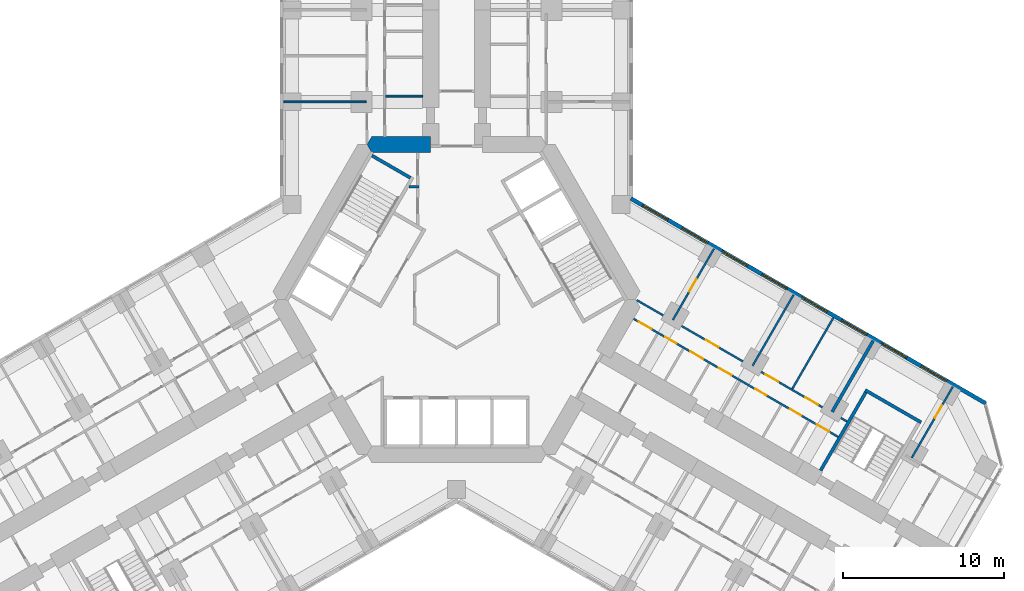
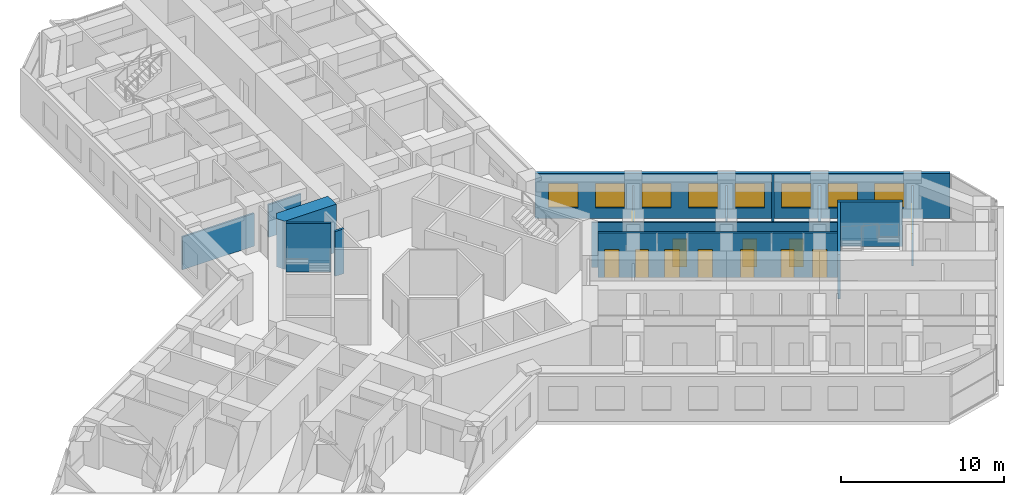
# One storey, part 16 of 21: 15 walls, 12 doors, 8 windows, 20 openings.
"""IFC4 building model written with IfcOpenShell, lengths in metres."""

import ifcopenshell
import ifcopenshell.guid

model = None  # the IFC model being written
_history = None  # IfcOwnerHistory: only IFC2X3 demands one
_inside = {}  # id of a spatial element -> (the spatial element, [elements in it])
_under = {}  # id of a project, library or spatial element -> (it, [spatial elements below it])
_declared = {}  # id of a project -> (the project, [libraries it declares])
_typed = {}  # id of a type object -> (the type object, [elements of that type])
_made_of = {}  # id of a material, layer set ... -> (it, [elements and type objects made of it])


def new_model(schema):
    """Start an empty IFC model of exactly this schema.

    Asked for "IFC4X3", IfcOpenShell would pick the latest addendum, in which some entities
    have other attributes; the version numbers below select the first issue.
    IFC2X3 requires an IfcOwnerHistory on every rooted entity: one is made here for all.
    """
    global model, _history
    if schema == "IFC4X3":
        model = ifcopenshell.file(schema_version=(4, 3, 0, 0))
    else:
        model = ifcopenshell.file(schema=schema)
    _inside.clear()
    _under.clear()
    _declared.clear()
    _typed.clear()
    _made_of.clear()
    _history = None
    if model.schema == "IFC2X3":
        org = make("IfcOrganization", Name="unknown")
        user = make(
            "IfcPersonAndOrganization",
            ThePerson=make("IfcPerson", FamilyName="unknown"),
            TheOrganization=org,
        )
        app = make(
            "IfcApplication",
            ApplicationDeveloper=org,
            Version="unknown",
            ApplicationFullName="unknown",
            ApplicationIdentifier="unknown",
        )
        _history = make(
            "IfcOwnerHistory",
            OwningUser=user,
            OwningApplication=app,
            ChangeAction="ADDED",
            CreationDate=0,
        )
    return model


def make(cls, **values):
    """One entity of the class cls with the attributes given. An attribute that is None is left unset."""
    return model.create_entity(
        cls, **{name: value for name, value in values.items() if value is not None}
    )


def rooted(cls, **values):
    """An entity with a GlobalId (a new one), such as an element, a storey or a relation."""
    return make(cls, GlobalId=ifcopenshell.guid.new(), OwnerHistory=_history, **values)


def si_unit(unit_type, name, prefix=None):
    """IfcSIUnit, for example si_unit("LENGTHUNIT", "METRE", prefix="MILLI")."""
    return make("IfcSIUnit", UnitType=unit_type, Prefix=prefix, Name=name)


def assignment(units):
    """IfcUnitAssignment: the units of a project."""
    return None if units is None else make("IfcUnitAssignment", Units=units)


def point(xyz):
    """IfcCartesianPoint."""
    return None if xyz is None else make("IfcCartesianPoint", Coordinates=xyz)


def direction(xyz):
    """IfcDirection."""
    return None if xyz is None else make("IfcDirection", DirectionRatios=xyz)


def frame(location, z_axis=None, x_axis=None):
    """IfcAxis2Placement3D, a coordinate frame: its origin and axes. An axis left out is left unset."""
    return make(
        "IfcAxis2Placement3D",
        Location=point(location),
        Axis=direction(z_axis),
        RefDirection=direction(x_axis),
    )


def frame_2d(location, x_axis=None):
    """IfcAxis2Placement2D, a coordinate frame in the plane: its origin and x axis."""
    return make(
        "IfcAxis2Placement2D", Location=point(location), RefDirection=direction(x_axis)
    )


def origin():
    """The frame at (0, 0, 0) with its axes left unset."""
    return frame((0.0, 0.0, 0.0))


def place(relative_to, where):
    """IfcLocalPlacement: puts the frame where relative to a parent placement (None: the world)."""
    return make(
        "IfcLocalPlacement", PlacementRelTo=relative_to, RelativePlacement=where
    )


def context(
    kind, dimensions, precision=None, world=None, true_north=None, identifier=None
):
    """IfcGeometricRepresentationContext, for example the 3D "Model" context."""
    return make(
        "IfcGeometricRepresentationContext",
        ContextIdentifier=identifier,
        ContextType=kind,
        CoordinateSpaceDimension=dimensions,
        Precision=precision,
        WorldCoordinateSystem=world,
        TrueNorth=true_north,
    )


def subcontext(parent, identifier, kind, view, scale=None):
    """IfcGeometricRepresentationSubContext, for example "Body" below "Model"."""
    return make(
        "IfcGeometricRepresentationSubContext",
        ContextIdentifier=identifier,
        ContextType=kind,
        ParentContext=parent,
        TargetScale=scale,
        TargetView=view,
    )


def project(units=None, contexts=None):
    """IfcProject with its units and contexts."""
    return rooted(
        "IfcProject",
        Name="project",
        RepresentationContexts=contexts,
        UnitsInContext=assignment(units),
    )


def spatial(cls, under=None, at=None, **own):
    """A site, building, storey or space (cls), placed at a placement, below another one or the project."""
    s = rooted(cls, ObjectPlacement=at, **own)
    if under is not None:
        _under.setdefault(under.id(), (under, []))[1].append(s)
    return s


def polyline(points):
    """IfcPolyline through the points."""
    return make("IfcPolyline", Points=[point(p) for p in points])


def profile(cls, at=None, kind="AREA", **sizes):
    """A parametric profile (cls). Its sizes go by their IFC names, for example OverallWidth=200.0."""
    return make(cls, ProfileType=kind, Position=at, **sizes)


def rectangle(**sizes):
    """IfcRectangleProfileDef."""
    return profile("IfcRectangleProfileDef", **sizes)


def outline(outer, holes=None, kind="AREA"):
    """IfcArbitraryClosedProfileDef: a profile drawn as a closed curve; with holes, ...WithVoids."""
    if holes is None:
        return make("IfcArbitraryClosedProfileDef", ProfileType=kind, OuterCurve=outer)
    return make(
        "IfcArbitraryProfileDefWithVoids",
        ProfileType=kind,
        OuterCurve=outer,
        InnerCurves=holes,
    )


def extrude(swept, where, along, depth):
    """IfcExtrudedAreaSolid: the profile swept, set in the frame where, extruded along a direction by depth."""
    return make(
        "IfcExtrudedAreaSolid",
        SweptArea=swept,
        Position=where,
        ExtrudedDirection=direction(along),
        Depth=depth,
    )


def shape(context_of_items, identifier, shape_type, items):
    """IfcShapeRepresentation: the items that make up one representation, for example the "Body"."""
    return make(
        "IfcShapeRepresentation",
        ContextOfItems=context_of_items,
        RepresentationIdentifier=identifier,
        RepresentationType=shape_type,
        Items=items,
    )


def material(Name=None, Category=None):
    """IfcMaterial."""
    return make("IfcMaterial", Name=Name, Category=Category)


def layer(
    of_material, thickness, ventilated=None, Name=None, Category=None, Priority=None
):
    """IfcMaterialLayer: one layer of a wall or slab, of a material (None: an air gap)."""
    return make(
        "IfcMaterialLayer",
        Material=of_material,
        LayerThickness=thickness,
        IsVentilated=ventilated,
        Name=Name,
        Category=Category,
        Priority=Priority,
    )


def layer_set(layers, Name=None):
    """IfcMaterialLayerSet."""
    return make("IfcMaterialLayerSet", MaterialLayers=layers, LayerSetName=Name)


def made_of(thing, what):
    """Note that an element or type object is made of a material, layer set ...; save() writes the relation."""
    if what is not None:
        _made_of.setdefault(what.id(), (what, []))[1].append(thing)
    return thing


def type_object(cls, material=None, **own):
    """A type object (cls), such as IfcWallType, which elements share."""
    return made_of(rooted(cls, **own), material)


def element(
    cls,
    number,
    at=None,
    inside=None,
    cuts=None,
    type_object=None,
    material=None,
    context=None,
    identifier="Body",
    shape_type=None,
    held_by="IfcProductDefinitionShape",
    body=None,
    shapes=None,
    **own,
):
    """One element of the class cls, such as IfcWall. Its Tag is "e" and its number.

    at: its placement. inside: the storey or other place that contains it. cuts: it is an
    opening in that element (IfcRelVoidsElement). A single representation is given by context,
    identifier, shape_type and body (its items); several are given by shapes. held_by: the class
    of the entity that holds the representations. save() writes the other relations.
    """
    e = rooted(cls, Tag="e%d" % number, ObjectPlacement=at, **own)
    if body is not None:
        shapes = [shape(context, identifier, shape_type, body)]
    if shapes is not None:
        e.Representation = make(held_by, Representations=shapes)
    if inside is not None:
        _inside.setdefault(inside.id(), (inside, []))[1].append(e)
    if cuts is not None:
        rooted(
            "IfcRelVoidsElement", RelatingBuildingElement=cuts, RelatedOpeningElement=e
        )
    if type_object is not None:
        _typed.setdefault(type_object.id(), (type_object, []))[1].append(e)
    return made_of(e, material)


def fill(opening, filler):
    """IfcRelFillsElement: the door or window that sits in an opening."""
    return rooted(
        "IfcRelFillsElement",
        RelatingOpeningElement=opening,
        RelatedBuildingElement=filler,
    )


def aggregate(whole, parts):
    """IfcRelAggregates: a whole, such as a stair, and the parts it consists of."""
    return rooted("IfcRelAggregates", RelatingObject=whole, RelatedObjects=parts)


def save(model, path):
    """Write the relations noted so far, then the file.

    IfcRelAggregates (storeys below a building ...), IfcRelContainedInSpatialStructure (elements
    in a storey), IfcRelDefinesByType, IfcRelAssociatesMaterial and IfcRelDeclares: one each for
    every whole, place, type object, material and project.
    """
    for whole, parts in _under.values():
        aggregate(whole, parts)
    for where, things in _inside.values():
        rooted(
            "IfcRelContainedInSpatialStructure",
            RelatedElements=things,
            RelatingStructure=where,
        )
    for kind, things in _typed.values():
        rooted("IfcRelDefinesByType", RelatedObjects=things, RelatingType=kind)
    for what, things in _made_of.values():
        rooted("IfcRelAssociatesMaterial", RelatedObjects=things, RelatingMaterial=what)
    for by, libraries in _declared.values():
        rooted("IfcRelDeclares", RelatingContext=by, RelatedDefinitions=libraries)
    model.write(path)


model = new_model("IFC4")

# Units and contexts
model_context = context("Model", 3, precision=1e-05, world=origin(), true_north=direction((0.0, 1.0)))
body_context = subcontext(model_context, "Body", "Model", "MODEL_VIEW")
ifc_project = project(units=[si_unit("LENGTHUNIT", "METRE"), si_unit("AREAUNIT", "SQUARE_METRE"), si_unit("VOLUMEUNIT", "CUBIC_METRE"), si_unit("PLANEANGLEUNIT", "RADIAN"), si_unit("MASSUNIT", "GRAM", prefix="KILO")], contexts=[model_context])

# Site, building, storey
site_placement = place(None, origin())
site = spatial("IfcSite", under=ifc_project, at=site_placement, CompositionType="ELEMENT")
building_placement = place(site_placement, origin())
building = spatial("IfcBuilding", under=site, at=building_placement, Name="Kosmar Iwan School Tower", CompositionType="ELEMENT")
storey_placement = place(building_placement, frame((0.0, 0.0, 39.39990234375)))
storey = spatial("IfcBuildingStorey", under=building, at=storey_placement, Name="L08", CompositionType="ELEMENT", Elevation=39.39990234375)

# Walls
ifc_material_1 = material(Name="Gypsum board on steel studs, fire-rated", Category="steel")
ifc_layer_1 = layer(ifc_material_1, 0.14990234375)
ifc_layer_set_1 = layer_set([ifc_layer_1], Name="Core room partition 150")
wall_type_1 = type_object("IfcWallType", Name="Core room partition 150", PredefinedType="PARTITIONING", material=ifc_layer_set_1)
wall_1_placement = place(storey_placement, frame((-2.324951171875, 6.985107421875, 0.0), z_axis=(0.0, 0.0, 1.0), x_axis=(-1.0, 0.0, 0.0)))
element("IfcWall", 1, at=wall_1_placement, inside=storey, type_object=wall_type_1, Name="Core room partition L08-CW2", PredefinedType="PARTITIONING", context=body_context, shape_type="SweptSolid", body=[
    extrude(rectangle(XDim=0.623779296875, YDim=0.14990234375, at=frame_2d((0.31201171875, 0.0))), origin(), (0.0, 0.0, 1.0), 3.35009765625),
])
ifc_material_2 = material(Name="Concrete C50/60", Category="concrete")
ifc_layer_2 = layer(ifc_material_2, 1.0)
ifc_layer_set_2 = layer_set([ifc_layer_2], Name="Core wall 1000")
wall_type_2 = type_object("IfcWallType", Name="Core wall 1000", PredefinedType="SHEAR", material=ifc_layer_set_2)
wall_2_placement = place(storey_placement, origin())
element("IfcWall", 2, at=wall_2_placement, inside=storey, type_object=wall_type_2, Name="Core wall F090b", PredefinedType="SHEAR", context=body_context, shape_type="SweptSolid", body=[
    extrude(outline(polyline([(-5.25390625, 9.10009765625), (-1.60009765625, 9.10009765625), (-1.60009765625, 10.10009765625), (-5.25390625, 10.10009765625), (-5.54248046875, 9.60009765625), (-5.25390625, 9.10009765625)])), origin(), (0.0, 0.0, 1.0), 3.60009765625),
])
ifc_material_3 = material(Name="Gypsum board on steel studs", Category="steel")
ifc_layer_3 = layer(ifc_material_3, 0.1201171875)
ifc_layer_set_3 = layer_set([ifc_layer_3], Name="Dwelling partition 120")
wall_type_3 = type_object("IfcWallType", Name="Dwelling partition 120", PredefinedType="PARTITIONING", material=ifc_layer_set_3)
wall_3_placement = place(storey_placement, frame((-5.610107421875, 12.25, 0.0), z_axis=(0.0, 0.0, 1.0), x_axis=(-1.0, 0.0, 0.0)))
element("IfcWall", 3, at=wall_3_placement, inside=storey, type_object=wall_type_3, Name="Partition L08-AL1-X1", PredefinedType="PARTITIONING", context=body_context, shape_type="SweptSolid", body=[
    extrude(rectangle(XDim=5.08984375, YDim=0.1201171875, at=frame_2d((2.544921875, 0.0))), origin(), (0.0, 0.0, 1.0), 2.4501953125),
])
wall_4_placement = place(storey_placement, frame((-2.10009765625, 12.60009765625, 0.0), z_axis=(0.0, 0.0, 1.0), x_axis=(-1.0, 0.0, 0.0)))
element("IfcWall", 4, at=wall_4_placement, inside=storey, type_object=wall_type_3, Name="Partition L08-AL1-Y1", PredefinedType="PARTITIONING", context=body_context, shape_type="SweptSolid", body=[
    extrude(rectangle(XDim=2.289794921875, YDim=0.1201171875, at=frame_2d((1.14501953125, 0.0))), origin(), (0.0, 0.0, 1.0), 2.4501953125),
])

# Wall, openings, doors
wall_5_placement = place(storey_placement, frame((10.971923828125, -1.1962890625, 0.0), z_axis=(0.0, 0.0, 1.0), x_axis=(0.866026568746, -0.499997982221, 0.0)))
wall_5 = element("IfcWall", 5, at=wall_5_placement, inside=storey, type_object=wall_type_3, Name="Partition L08-CL1-W1", PredefinedType="PARTITIONING", context=body_context, shape_type="SweptSolid", body=[
    extrude(rectangle(XDim=14.64990234375, YDim=0.1201171875, at=frame_2d((7.324951171875, 0.0))), origin(), (0.0, 0.0, 1.0), 3.35009765625),
])
opening_1_placement = place(wall_5_placement, frame((0.375, 0.0, 0.0)))
opening_1 = element("IfcOpeningElement", 6, at=opening_1_placement, cuts=wall_5, Name="Opening D2", PredefinedType="OPENING", context=body_context, shape_type="SweptSolid", body=[
    extrude(rectangle(XDim=0.89990234375, YDim=2.10009765625, at=frame_2d((0.449951171875, 1.050048828125))), frame((0.0, 0.072021484375, 0.0), z_axis=(0.0, -1.0, 0.0), x_axis=(1.0, 0.0, 0.0)), (0.0, 0.0, 1.0), 0.14404296875),
])
opening_2_placement = place(wall_5_placement, frame((2.27490234375, 0.0, 0.0)))
opening_2 = element("IfcOpeningElement", 7, at=opening_2_placement, cuts=wall_5, Name="Opening D3", PredefinedType="OPENING", context=body_context, shape_type="SweptSolid", body=[
    extrude(rectangle(XDim=0.800048828125, YDim=2.10009765625, at=frame_2d((0.39990234375, 1.050048828125))), frame((0.0, 0.072021484375, 0.0), z_axis=(0.0, -1.0, 0.0), x_axis=(1.0, 0.0, 0.0)), (0.0, 0.0, 1.0), 0.14404296875),
])
opening_3_placement = place(wall_5_placement, frame((4.074951171875, 0.0, 0.0)))
opening_3 = element("IfcOpeningElement", 8, at=opening_3_placement, cuts=wall_5, Name="Opening D2", PredefinedType="OPENING", context=body_context, shape_type="SweptSolid", body=[
    extrude(rectangle(XDim=0.89990234375, YDim=2.10009765625, at=frame_2d((0.449951171875, 1.050048828125))), frame((0.0, 0.072021484375, 0.0), z_axis=(0.0, -1.0, 0.0), x_axis=(1.0, 0.0, 0.0)), (0.0, 0.0, 1.0), 0.14404296875),
])
opening_4_placement = place(wall_5_placement, frame((6.10009765625, 0.0, 0.0)))
opening_4 = element("IfcOpeningElement", 9, at=opening_4_placement, cuts=wall_5, Name="Opening D2", PredefinedType="OPENING", context=body_context, shape_type="SweptSolid", body=[
    extrude(rectangle(XDim=0.89990234375, YDim=2.10009765625, at=frame_2d((0.449951171875, 1.050048828125))), frame((0.0, 0.072021484375, 0.0), z_axis=(0.0, -1.0, 0.0), x_axis=(1.0, 0.0, 0.0)), (0.0, 0.0, 1.0), 0.14404296875),
])
opening_5_placement = place(wall_5_placement, frame((8.728515625, 0.0, 0.0)))
opening_5 = element("IfcOpeningElement", 10, at=opening_5_placement, cuts=wall_5, Name="Opening D3", PredefinedType="OPENING", context=body_context, shape_type="SweptSolid", body=[
    extrude(rectangle(XDim=0.800048828125, YDim=2.10009765625, at=frame_2d((0.39990234375, 1.050048828125))), frame((0.0, 0.072021484375, 0.0), z_axis=(0.0, -1.0, 0.0), x_axis=(1.0, 0.0, 0.0)), (0.0, 0.0, 1.0), 0.14404296875),
])
opening_6_placement = place(wall_5_placement, frame((11.19287109375, 0.0, 0.0)))
opening_6 = element("IfcOpeningElement", 11, at=opening_6_placement, cuts=wall_5, Name="Opening D3", PredefinedType="OPENING", context=body_context, shape_type="SweptSolid", body=[
    extrude(rectangle(XDim=0.800048828125, YDim=2.10009765625, at=frame_2d((0.39990234375, 1.050048828125))), frame((0.0, 0.072021484375, 0.0), z_axis=(0.0, -1.0, 0.0), x_axis=(1.0, 0.0, 0.0)), (0.0, 0.0, 1.0), 0.14404296875),
])
opening_7_placement = place(wall_5_placement, frame((13.1142578125, 0.0, 0.0)))
opening_7 = element("IfcOpeningElement", 12, at=opening_7_placement, cuts=wall_5, Name="Opening D2", PredefinedType="OPENING", context=body_context, shape_type="SweptSolid", body=[
    extrude(rectangle(XDim=0.89990234375, YDim=2.10009765625, at=frame_2d((0.449951171875, 1.050048828125))), frame((0.0, 0.072021484375, 0.0), z_axis=(0.0, -1.0, 0.0), x_axis=(1.0, 0.0, 0.0)), (0.0, 0.0, 1.0), 0.14404296875),
])
ifc_material_4 = material(Name="Timber door in timber frame", Category="wood")
door_type_1 = type_object("IfcDoorType", Name="Internal door 900x2100", OperationType="SINGLE_SWING_LEFT", PredefinedType="DOOR", material=ifc_material_4)
door_1_placement = place(opening_1_placement, origin())
door_1 = element("IfcDoor", 13, at=door_1_placement, inside=storey, type_object=door_type_1, Name="Dressing room door L08-CL1-S1", OperationType="SINGLE_SWING_LEFT", OverallHeight=2.10009765625, OverallWidth=0.89990234375, PredefinedType="DOOR", context=body_context, shape_type="SweptSolid", body=[
    extrude(rectangle(XDim=0.89990234375, YDim=2.10009765625, at=frame_2d((0.449951171875, 1.050048828125))), frame((0.0, 0.02490234375, 0.0), z_axis=(0.0, -1.0, 0.0), x_axis=(1.0, 0.0, 0.0)), (0.0, 0.0, 1.0), 0.050048828125),
])
fill(opening_1, door_1)
door_2_placement = place(opening_3_placement, origin())
door_2 = element("IfcDoor", 14, at=door_2_placement, inside=storey, type_object=door_type_1, Name="Pantry door L08-CL1-S3", OperationType="SINGLE_SWING_LEFT", OverallHeight=2.10009765625, OverallWidth=0.89990234375, PredefinedType="DOOR", context=body_context, shape_type="SweptSolid", body=[
    extrude(rectangle(XDim=0.89990234375, YDim=2.10009765625, at=frame_2d((0.449951171875, 1.050048828125))), frame((0.0, 0.02490234375, 0.0), z_axis=(0.0, -1.0, 0.0), x_axis=(1.0, 0.0, 0.0)), (0.0, 0.0, 1.0), 0.050048828125),
])
fill(opening_3, door_2)
door_3_placement = place(opening_4_placement, origin())
door_3 = element("IfcDoor", 15, at=door_3_placement, inside=storey, type_object=door_type_1, Name="Entrance hall door L08-CL1-S4", OperationType="SINGLE_SWING_LEFT", OverallHeight=2.10009765625, OverallWidth=0.89990234375, PredefinedType="DOOR", context=body_context, shape_type="SweptSolid", body=[
    extrude(rectangle(XDim=0.89990234375, YDim=2.10009765625, at=frame_2d((0.449951171875, 1.050048828125))), frame((0.0, 0.02490234375, 0.0), z_axis=(0.0, -1.0, 0.0), x_axis=(1.0, 0.0, 0.0)), (0.0, 0.0, 1.0), 0.050048828125),
])
fill(opening_4, door_3)
door_4_placement = place(opening_7_placement, frame((0.89990234375, 0.0, 0.0), z_axis=(0.0, 0.0, 1.0), x_axis=(-1.0, 0.0, 0.0)))
door_4 = element("IfcDoor", 16, at=door_4_placement, inside=storey, type_object=door_type_1, Name="Utility room door L08-CL1-S7", OperationType="SINGLE_SWING_LEFT", OverallHeight=2.10009765625, OverallWidth=0.89990234375, PredefinedType="DOOR", context=body_context, shape_type="SweptSolid", body=[
    extrude(rectangle(XDim=0.89990234375, YDim=2.10009765625, at=frame_2d((0.449951171875, 1.050048828125))), frame((0.0, 0.02490234375, 0.0), z_axis=(0.0, -1.0, 0.0), x_axis=(1.0, 0.0, 0.0)), (0.0, 0.0, 1.0), 0.050048828125),
])
fill(opening_7, door_4)
ifc_material_5 = material(Name="Timber door in timber frame", Category="wood")
door_type_2 = type_object("IfcDoorType", Name="Sanitary room door 800x2100", OperationType="SINGLE_SWING_LEFT", PredefinedType="DOOR", material=ifc_material_5)
door_5_placement = place(opening_2_placement, origin())
door_5 = element("IfcDoor", 17, at=door_5_placement, inside=storey, type_object=door_type_2, Name="Store door L08-CL1-S2", OperationType="SINGLE_SWING_RIGHT", OverallHeight=2.10009765625, OverallWidth=0.800048828125, PredefinedType="DOOR", context=body_context, shape_type="SweptSolid", body=[
    extrude(rectangle(XDim=0.800048828125, YDim=2.10009765625, at=frame_2d((0.39990234375, 1.050048828125))), frame((0.0, 0.02490234375, 0.0), z_axis=(0.0, -1.0, 0.0), x_axis=(1.0, 0.0, 0.0)), (0.0, 0.0, 1.0), 0.050048828125),
])
fill(opening_2, door_5)
door_6_placement = place(opening_5_placement, origin())
door_6 = element("IfcDoor", 18, at=door_6_placement, inside=storey, type_object=door_type_2, Name="Bathroom door L08-CL1-S5", OperationType="SINGLE_SWING_RIGHT", OverallHeight=2.10009765625, OverallWidth=0.800048828125, PredefinedType="DOOR", context=body_context, shape_type="SweptSolid", body=[
    extrude(rectangle(XDim=0.800048828125, YDim=2.10009765625, at=frame_2d((0.39990234375, 1.050048828125))), frame((0.0, 0.02490234375, 0.0), z_axis=(0.0, -1.0, 0.0), x_axis=(1.0, 0.0, 0.0)), (0.0, 0.0, 1.0), 0.050048828125),
])
fill(opening_5, door_6)
door_7_placement = place(opening_6_placement, origin())
door_7 = element("IfcDoor", 19, at=door_7_placement, inside=storey, type_object=door_type_2, Name="WC door L08-CL1-S6", OperationType="SINGLE_SWING_RIGHT", OverallHeight=2.10009765625, OverallWidth=0.800048828125, PredefinedType="DOOR", context=body_context, shape_type="SweptSolid", body=[
    extrude(rectangle(XDim=0.800048828125, YDim=2.10009765625, at=frame_2d((0.39990234375, 1.050048828125))), frame((0.0, 0.02490234375, 0.0), z_axis=(0.0, -1.0, 0.0), x_axis=(1.0, 0.0, 0.0)), (0.0, 0.0, 1.0), 0.050048828125),
])
fill(opening_6, door_7)

wall_6_placement = place(storey_placement, frame((11.167724609375, -0.0390625, 0.0), z_axis=(0.0, 0.0, 1.0), x_axis=(0.866024678464, -0.50000125629, 0.0)))
wall_6 = element("IfcWall", 20, at=wall_6_placement, inside=storey, type_object=wall_type_3, Name="Partition L08-CL1-W2", PredefinedType="PARTITIONING", context=body_context, shape_type="SweptSolid", body=[
    extrude(rectangle(XDim=15.05908203125, YDim=0.1201171875, at=frame_2d((7.529541015625, 0.0))), origin(), (0.0, 0.0, 1.0), 3.35009765625),
])
opening_8_placement = place(wall_6_placement, frame((4.958984375, 0.0, 0.0)))
opening_8 = element("IfcOpeningElement", 21, at=opening_8_placement, cuts=wall_6, Name="Opening D2", PredefinedType="OPENING", context=body_context, shape_type="SweptSolid", body=[
    extrude(rectangle(XDim=0.89990234375, YDim=2.10009765625, at=frame_2d((0.449951171875, 1.050048828125))), frame((0.0, 0.072021484375, 0.0), z_axis=(0.0, -1.0, 0.0), x_axis=(1.0, 0.0, 0.0)), (0.0, 0.0, 1.0), 0.14404296875),
])
opening_9_placement = place(wall_6_placement, frame((9.23388671875, 0.0, 0.0)))
opening_9 = element("IfcOpeningElement", 22, at=opening_9_placement, cuts=wall_6, Name="Opening D2", PredefinedType="OPENING", context=body_context, shape_type="SweptSolid", body=[
    extrude(rectangle(XDim=0.89990234375, YDim=2.10009765625, at=frame_2d((0.449951171875, 1.050048828125))), frame((0.0, 0.072021484375, 0.0), z_axis=(0.0, -1.0, 0.0), x_axis=(1.0, 0.0, 0.0)), (0.0, 0.0, 1.0), 0.14404296875),
])
opening_10_placement = place(wall_6_placement, frame((12.083984375, 0.0, 0.0)))
opening_10 = element("IfcOpeningElement", 23, at=opening_10_placement, cuts=wall_6, Name="Opening D2", PredefinedType="OPENING", context=body_context, shape_type="SweptSolid", body=[
    extrude(rectangle(XDim=0.89990234375, YDim=2.10009765625, at=frame_2d((0.449951171875, 1.050048828125))), frame((0.0, 0.072021484375, 0.0), z_axis=(0.0, -1.0, 0.0), x_axis=(1.0, 0.0, 0.0)), (0.0, 0.0, 1.0), 0.14404296875),
])
door_8_placement = place(opening_8_placement, origin())
door_8 = element("IfcDoor", 24, at=door_8_placement, inside=storey, type_object=door_type_1, Name="Living room door L08-CL1-F2", OperationType="SINGLE_SWING_LEFT", OverallHeight=2.10009765625, OverallWidth=0.89990234375, PredefinedType="DOOR", context=body_context, shape_type="SweptSolid", body=[
    extrude(rectangle(XDim=0.89990234375, YDim=2.10009765625, at=frame_2d((0.449951171875, 1.050048828125))), frame((0.0, 0.02490234375, 0.0), z_axis=(0.0, -1.0, 0.0), x_axis=(1.0, 0.0, 0.0)), (0.0, 0.0, 1.0), 0.050048828125),
])
fill(opening_8, door_8)
door_9_placement = place(opening_9_placement, origin())
door_9 = element("IfcDoor", 25, at=door_9_placement, inside=storey, type_object=door_type_1, Name="Bedroom 1 door L08-CL1-F3", OperationType="SINGLE_SWING_RIGHT", OverallHeight=2.10009765625, OverallWidth=0.89990234375, PredefinedType="DOOR", context=body_context, shape_type="SweptSolid", body=[
    extrude(rectangle(XDim=0.89990234375, YDim=2.10009765625, at=frame_2d((0.449951171875, 1.050048828125))), frame((0.0, 0.02490234375, 0.0), z_axis=(0.0, -1.0, 0.0), x_axis=(1.0, 0.0, 0.0)), (0.0, 0.0, 1.0), 0.050048828125),
])
fill(opening_9, door_9)
door_10_placement = place(opening_10_placement, origin())
door_10 = element("IfcDoor", 26, at=door_10_placement, inside=storey, type_object=door_type_1, Name="Study door L08-CL1-F4", OperationType="SINGLE_SWING_LEFT", OverallHeight=2.10009765625, OverallWidth=0.89990234375, PredefinedType="DOOR", context=body_context, shape_type="SweptSolid", body=[
    extrude(rectangle(XDim=0.89990234375, YDim=2.10009765625, at=frame_2d((0.449951171875, 1.050048828125))), frame((0.0, 0.02490234375, 0.0), z_axis=(0.0, -1.0, 0.0), x_axis=(1.0, 0.0, 0.0)), (0.0, 0.0, 1.0), 0.050048828125),
])
fill(opening_10, door_10)

# Wall, opening, door
wall_7_placement = place(storey_placement, frame((13.413818359375, -1.2666015625, 0.0), z_axis=(0.0, 0.0, 1.0), x_axis=(0.499997873537, 0.866026631495, 0.0)))
wall_7 = element("IfcWall", 27, at=wall_7_placement, inside=storey, type_object=wall_type_3, Name="Partition L08-CL1-X1", PredefinedType="PARTITIONING", context=body_context, shape_type="SweptSolid", body=[
    extrude(rectangle(XDim=5.08984375, YDim=0.1201171875, at=frame_2d((2.544921875, 0.0))), origin(), (0.0, 0.0, 1.0), 2.4501953125),
])
opening_11_placement = place(wall_7_placement, frame((2.0400390625, 0.0, 0.0)))
opening_11 = element("IfcOpeningElement", 28, at=opening_11_placement, cuts=wall_7, Name="Opening D2", PredefinedType="OPENING", context=body_context, shape_type="SweptSolid", body=[
    extrude(rectangle(XDim=0.89990234375, YDim=2.10009765625, at=frame_2d((0.449951171875, 1.050048828125))), frame((0.0, 0.072021484375, 0.0), z_axis=(0.0, -1.0, 0.0), x_axis=(1.0, 0.0, 0.0)), (0.0, 0.0, 1.0), 0.14404296875),
])
door_11_placement = place(opening_11_placement, origin())
door_11 = element("IfcDoor", 29, at=door_11_placement, inside=storey, type_object=door_type_1, Name="Kitchen and dining room door L08-CL1-F1", OperationType="SINGLE_SWING_LEFT", OverallHeight=2.10009765625, OverallWidth=0.89990234375, PredefinedType="DOOR", context=body_context, shape_type="SweptSolid", body=[
    extrude(rectangle(XDim=0.89990234375, YDim=2.10009765625, at=frame_2d((0.449951171875, 1.050048828125))), frame((0.0, 0.02490234375, 0.0), z_axis=(0.0, -1.0, 0.0), x_axis=(1.0, 0.0, 0.0)), (0.0, 0.0, 1.0), 0.050048828125),
])
fill(opening_11, door_11)

# Walls
wall_8_placement = place(storey_placement, frame((18.35009765625, -4.11669921875, 0.0), z_axis=(0.0, 0.0, 1.0), x_axis=(0.500013077246, 0.866017853501, 0.0)))
element("IfcWall", 30, at=wall_8_placement, inside=storey, type_object=wall_type_3, Name="Partition L08-CL1-X2", PredefinedType="PARTITIONING", context=body_context, shape_type="SweptSolid", body=[
    extrude(rectangle(XDim=5.090087890625, YDim=0.1201171875, at=frame_2d((2.544921875, 0.0))), origin(), (0.0, 0.0, 1.0), 2.4501953125),
])
wall_9_placement = place(storey_placement, frame((20.818359375, -5.54150390625, 0.0), z_axis=(0.0, 0.0, 1.0), x_axis=(0.499997873537, 0.866026631495, 0.0)))
element("IfcWall", 31, at=wall_9_placement, inside=storey, type_object=wall_type_3, Name="Partition L08-CL1-X3", PredefinedType="PARTITIONING", context=body_context, shape_type="SweptSolid", body=[
    extrude(rectangle(XDim=5.08984375, YDim=0.1201171875, at=frame_2d((2.544921875, 0.0))), origin(), (0.0, 0.0, 1.0), 3.35009765625),
])

# Wall, opening, door
wall_10_placement = place(storey_placement, frame((28.222900390625, -9.816650390625, 0.0), z_axis=(0.0, 0.0, 1.0), x_axis=(0.499977104415, 0.866038622153, 0.0)))
wall_10 = element("IfcWall", 32, at=wall_10_placement, inside=storey, type_object=wall_type_3, Name="Partition L08-CL2-TX", PredefinedType="PARTITIONING", context=body_context, shape_type="SweptSolid", body=[
    extrude(rectangle(XDim=5.090087890625, YDim=0.1201171875, at=frame_2d((2.544921875, 0.0))), origin(), (0.0, 0.0, 1.0), 2.4501953125),
])
opening_12_placement = place(wall_10_placement, frame((2.840087890625, 0.0, 0.0)))
opening_12 = element("IfcOpeningElement", 33, at=opening_12_placement, cuts=wall_10, Name="Opening D2", PredefinedType="OPENING", context=body_context, shape_type="SweptSolid", body=[
    extrude(rectangle(XDim=0.89990234375, YDim=2.10009765625, at=frame_2d((0.449951171875, 1.050048828125))), frame((0.0, 0.072021484375, 0.0), z_axis=(0.0, -1.0, 0.0), x_axis=(1.0, 0.0, 0.0)), (0.0, 0.0, 1.0), 0.14404296875),
])
door_12_placement = place(opening_12_placement, origin())
door_12 = element("IfcDoor", 34, at=door_12_placement, inside=storey, type_object=door_type_1, Name="Bedroom 1 door L08-CL2-T1", OperationType="SINGLE_SWING_RIGHT", OverallHeight=2.10009765625, OverallWidth=0.89990234375, PredefinedType="DOOR", context=body_context, shape_type="SweptSolid", body=[
    extrude(rectangle(XDim=0.89990234375, YDim=2.10009765625, at=frame_2d((0.449951171875, 1.050048828125))), frame((0.0, 0.02490234375, 0.0), z_axis=(0.0, -1.0, 0.0), x_axis=(1.0, 0.0, 0.0)), (0.0, 0.0, 1.0), 0.050048828125),
])
fill(opening_12, door_12)

# Walls
ifc_material_6 = material(Name="Concrete C35/45", Category="concrete")
ifc_layer_4 = layer(ifc_material_6, 0.199951171875)
ifc_layer_set_4 = layer_set([ifc_layer_4], Name="Escape stair wall 200")
wall_type_4 = type_object("IfcWallType", Name="Escape stair wall 200", PredefinedType="SHEAR", material=ifc_layer_set_4)
wall_11_placement = place(storey_placement, frame((22.57080078125, -10.6064453125, 0.0), z_axis=(0.0, 0.0, 1.0), x_axis=(0.499987231761, 0.866032775405, 0.0)))
element("IfcWall", 35, at=wall_11_placement, inside=storey, type_object=wall_type_4, Name="Stair WS3 wall", PredefinedType="SHEAR", context=body_context, shape_type="SweptSolid", body=[
    extrude(rectangle(XDim=5.800048828125, YDim=0.199951171875, at=frame_2d((2.89990234375, 0.0))), origin(), (0.0, 0.0, 1.0), 3.330078125),
])
wall_12_placement = place(storey_placement, frame((25.334228515625, -5.6201171875, 0.0), z_axis=(0.0, 0.0, 1.0), x_axis=(0.866026010844, -0.49999894854, 0.0)))
element("IfcWall", 36, at=wall_12_placement, inside=storey, type_object=wall_type_4, Name="Stair WS3 wall", PredefinedType="SHEAR", context=body_context, shape_type="SweptSolid", body=[
    extrude(rectangle(XDim=4.0, YDim=0.199951171875, at=frame_2d((2.0, 0.0))), origin(), (0.0, 0.0, 1.0), 3.330078125),
])

# Wall, openings, windows
ifc_material_7 = material(Name="Black aluminium rainscreen on insulated framing", Category="aluminium")
ifc_layer_5 = layer(ifc_material_7, 0.25)
ifc_layer_set_5 = layer_set([ifc_layer_5], Name="External wall rainscreen 250")
wall_type_5 = type_object("IfcWallType", Name="External wall rainscreen 250", PredefinedType="SOLIDWALL", material=ifc_layer_set_5)
wall_13_placement = place(storey_placement, frame((10.8125, 6.257080078125, 0.0), z_axis=(0.0, 0.0, 1.0), x_axis=(0.86602648281, -0.499998131069, 0.0)))
wall_13 = element("IfcWall", 37, at=wall_13_placement, inside=storey, type_object=wall_type_5, Name="External wall CL L08", PredefinedType="SOLIDWALL", context=body_context, shape_type="SweptSolid", body=[
    extrude(rectangle(XDim=25.39990234375, YDim=0.25, at=frame_2d((12.699951171875, 0.0))), origin(), (0.0, 0.0, 1.0), 3.35009765625),
])
opening_13_placement = place(wall_13_placement, frame((0.839599609375, 0.0, 0.800048828125)))
opening_13 = element("IfcOpeningElement", 38, at=opening_13_placement, cuts=wall_13, Name="Opening W1", PredefinedType="OPENING", context=body_context, shape_type="SweptSolid", body=[
    extrude(rectangle(XDim=1.800048828125, YDim=1.800048828125, at=frame_2d((0.89990234375, 0.89990234375))), frame((0.0, 0.136962890625, 0.0), z_axis=(0.0, -1.0, 0.0), x_axis=(1.0, 0.0, 0.0)), (0.0, 0.0, 1.0), 0.27392578125),
])
opening_14_placement = place(wall_13_placement, frame((3.689697265625, 0.0, 0.800048828125)))
opening_14 = element("IfcOpeningElement", 39, at=opening_14_placement, cuts=wall_13, Name="Opening W1", PredefinedType="OPENING", context=body_context, shape_type="SweptSolid", body=[
    extrude(rectangle(XDim=1.800048828125, YDim=1.800048828125, at=frame_2d((0.89990234375, 0.89990234375))), frame((0.0, 0.136962890625, 0.0), z_axis=(0.0, -1.0, 0.0), x_axis=(1.0, 0.0, 0.0)), (0.0, 0.0, 1.0), 0.27392578125),
])
opening_15_placement = place(wall_13_placement, frame((6.53955078125, 0.0, 0.800048828125)))
opening_15 = element("IfcOpeningElement", 40, at=opening_15_placement, cuts=wall_13, Name="Opening W1", PredefinedType="OPENING", context=body_context, shape_type="SweptSolid", body=[
    extrude(rectangle(XDim=1.800048828125, YDim=1.800048828125, at=frame_2d((0.89990234375, 0.89990234375))), frame((0.0, 0.136962890625, 0.0), z_axis=(0.0, -1.0, 0.0), x_axis=(1.0, 0.0, 0.0)), (0.0, 0.0, 1.0), 0.27392578125),
])
opening_16_placement = place(wall_13_placement, frame((9.3896484375, 0.0, 0.800048828125)))
opening_16 = element("IfcOpeningElement", 41, at=opening_16_placement, cuts=wall_13, Name="Opening W1", PredefinedType="OPENING", context=body_context, shape_type="SweptSolid", body=[
    extrude(rectangle(XDim=1.800048828125, YDim=1.800048828125, at=frame_2d((0.89990234375, 0.89990234375))), frame((0.0, 0.136962890625, 0.0), z_axis=(0.0, -1.0, 0.0), x_axis=(1.0, 0.0, 0.0)), (0.0, 0.0, 1.0), 0.27392578125),
])
opening_17_placement = place(wall_13_placement, frame((12.23974609375, 0.0, 0.800048828125)))
opening_17 = element("IfcOpeningElement", 42, at=opening_17_placement, cuts=wall_13, Name="Opening W1", PredefinedType="OPENING", context=body_context, shape_type="SweptSolid", body=[
    extrude(rectangle(XDim=1.800048828125, YDim=1.800048828125, at=frame_2d((0.89990234375, 0.89990234375))), frame((0.0, 0.136962890625, 0.0), z_axis=(0.0, -1.0, 0.0), x_axis=(1.0, 0.0, 0.0)), (0.0, 0.0, 1.0), 0.27392578125),
])
opening_18_placement = place(wall_13_placement, frame((15.089599609375, 0.0, 0.800048828125)))
opening_18 = element("IfcOpeningElement", 43, at=opening_18_placement, cuts=wall_13, Name="Opening W1", PredefinedType="OPENING", context=body_context, shape_type="SweptSolid", body=[
    extrude(rectangle(XDim=1.800048828125, YDim=1.800048828125, at=frame_2d((0.89990234375, 0.89990234375))), frame((0.0, 0.136962890625, 0.0), z_axis=(0.0, -1.0, 0.0), x_axis=(1.0, 0.0, 0.0)), (0.0, 0.0, 1.0), 0.27392578125),
])
opening_19_placement = place(wall_13_placement, frame((17.939697265625, 0.0, 0.800048828125)))
opening_19 = element("IfcOpeningElement", 44, at=opening_19_placement, cuts=wall_13, Name="Opening W1", PredefinedType="OPENING", context=body_context, shape_type="SweptSolid", body=[
    extrude(rectangle(XDim=1.800048828125, YDim=1.800048828125, at=frame_2d((0.89990234375, 0.89990234375))), frame((0.0, 0.136962890625, 0.0), z_axis=(0.0, -1.0, 0.0), x_axis=(1.0, 0.0, 0.0)), (0.0, 0.0, 1.0), 0.27392578125),
])
opening_20_placement = place(wall_13_placement, frame((20.78955078125, 0.0, 0.800048828125)))
opening_20 = element("IfcOpeningElement", 45, at=opening_20_placement, cuts=wall_13, Name="Opening W1", PredefinedType="OPENING", context=body_context, shape_type="SweptSolid", body=[
    extrude(rectangle(XDim=1.800048828125, YDim=1.800048828125, at=frame_2d((0.89990234375, 0.89990234375))), frame((0.0, 0.136962890625, 0.0), z_axis=(0.0, -1.0, 0.0), x_axis=(1.0, 0.0, 0.0)), (0.0, 0.0, 1.0), 0.27392578125),
])
ifc_material_8 = material(Name="Black aluminium frame with dark triple glazing", Category="aluminium")
window_type = type_object("IfcWindowType", Name="Window 1800x1800", PartitioningType="SINGLE_PANEL", PredefinedType="WINDOW", material=ifc_material_8)
window_1_placement = place(opening_13_placement, origin())
window_1 = element("IfcWindow", 46, at=window_1_placement, inside=storey, type_object=window_type, Name="Window CL L08 -1", OverallHeight=1.800048828125, OverallWidth=1.800048828125, PartitioningType="SINGLE_PANEL", PredefinedType="WINDOW", context=body_context, shape_type="SweptSolid", body=[
    extrude(rectangle(XDim=1.800048828125, YDim=1.800048828125, at=frame_2d((0.89990234375, 0.89990234375))), frame((0.0, 0.030029296875, 0.0), z_axis=(0.0, -1.0, 0.0), x_axis=(1.0, 0.0, 0.0)), (0.0, 0.0, 1.0), 0.06005859375),
])
fill(opening_13, window_1)
window_2_placement = place(opening_14_placement, origin())
window_2 = element("IfcWindow", 47, at=window_2_placement, inside=storey, type_object=window_type, Name="Window CL L08 0", OverallHeight=1.800048828125, OverallWidth=1.800048828125, PartitioningType="SINGLE_PANEL", PredefinedType="WINDOW", context=body_context, shape_type="SweptSolid", body=[
    extrude(rectangle(XDim=1.800048828125, YDim=1.800048828125, at=frame_2d((0.89990234375, 0.89990234375))), frame((0.0, 0.030029296875, 0.0), z_axis=(0.0, -1.0, 0.0), x_axis=(1.0, 0.0, 0.0)), (0.0, 0.0, 1.0), 0.06005859375),
])
fill(opening_14, window_2)
window_3_placement = place(opening_15_placement, origin())
window_3 = element("IfcWindow", 48, at=window_3_placement, inside=storey, type_object=window_type, Name="Window CL L08 1", OverallHeight=1.800048828125, OverallWidth=1.800048828125, PartitioningType="SINGLE_PANEL", PredefinedType="WINDOW", context=body_context, shape_type="SweptSolid", body=[
    extrude(rectangle(XDim=1.800048828125, YDim=1.800048828125, at=frame_2d((0.89990234375, 0.89990234375))), frame((0.0, 0.030029296875, 0.0), z_axis=(0.0, -1.0, 0.0), x_axis=(1.0, 0.0, 0.0)), (0.0, 0.0, 1.0), 0.06005859375),
])
fill(opening_15, window_3)
window_4_placement = place(opening_16_placement, origin())
window_4 = element("IfcWindow", 49, at=window_4_placement, inside=storey, type_object=window_type, Name="Window CL L08 2", OverallHeight=1.800048828125, OverallWidth=1.800048828125, PartitioningType="SINGLE_PANEL", PredefinedType="WINDOW", context=body_context, shape_type="SweptSolid", body=[
    extrude(rectangle(XDim=1.800048828125, YDim=1.800048828125, at=frame_2d((0.89990234375, 0.89990234375))), frame((0.0, 0.030029296875, 0.0), z_axis=(0.0, -1.0, 0.0), x_axis=(1.0, 0.0, 0.0)), (0.0, 0.0, 1.0), 0.06005859375),
])
fill(opening_16, window_4)
window_5_placement = place(opening_17_placement, origin())
window_5 = element("IfcWindow", 50, at=window_5_placement, inside=storey, type_object=window_type, Name="Window CL L08 3", OverallHeight=1.800048828125, OverallWidth=1.800048828125, PartitioningType="SINGLE_PANEL", PredefinedType="WINDOW", context=body_context, shape_type="SweptSolid", body=[
    extrude(rectangle(XDim=1.800048828125, YDim=1.800048828125, at=frame_2d((0.89990234375, 0.89990234375))), frame((0.0, 0.030029296875, 0.0), z_axis=(0.0, -1.0, 0.0), x_axis=(1.0, 0.0, 0.0)), (0.0, 0.0, 1.0), 0.06005859375),
])
fill(opening_17, window_5)
window_6_placement = place(opening_18_placement, origin())
window_6 = element("IfcWindow", 51, at=window_6_placement, inside=storey, type_object=window_type, Name="Window CL L08 4", OverallHeight=1.800048828125, OverallWidth=1.800048828125, PartitioningType="SINGLE_PANEL", PredefinedType="WINDOW", context=body_context, shape_type="SweptSolid", body=[
    extrude(rectangle(XDim=1.800048828125, YDim=1.800048828125, at=frame_2d((0.89990234375, 0.89990234375))), frame((0.0, 0.030029296875, 0.0), z_axis=(0.0, -1.0, 0.0), x_axis=(1.0, 0.0, 0.0)), (0.0, 0.0, 1.0), 0.06005859375),
])
fill(opening_18, window_6)
window_7_placement = place(opening_19_placement, origin())
window_7 = element("IfcWindow", 52, at=window_7_placement, inside=storey, type_object=window_type, Name="Window CL L08 5", OverallHeight=1.800048828125, OverallWidth=1.800048828125, PartitioningType="SINGLE_PANEL", PredefinedType="WINDOW", context=body_context, shape_type="SweptSolid", body=[
    extrude(rectangle(XDim=1.800048828125, YDim=1.800048828125, at=frame_2d((0.89990234375, 0.89990234375))), frame((0.0, 0.030029296875, 0.0), z_axis=(0.0, -1.0, 0.0), x_axis=(1.0, 0.0, 0.0)), (0.0, 0.0, 1.0), 0.06005859375),
])
fill(opening_19, window_7)
window_8_placement = place(opening_20_placement, origin())
window_8 = element("IfcWindow", 53, at=window_8_placement, inside=storey, type_object=window_type, Name="Window CL L08 6", OverallHeight=1.800048828125, OverallWidth=1.800048828125, PartitioningType="SINGLE_PANEL", PredefinedType="WINDOW", context=body_context, shape_type="SweptSolid", body=[
    extrude(rectangle(XDim=1.800048828125, YDim=1.800048828125, at=frame_2d((0.89990234375, 0.89990234375))), frame((0.0, 0.030029296875, 0.0), z_axis=(0.0, -1.0, 0.0), x_axis=(1.0, 0.0, 0.0)), (0.0, 0.0, 1.0), 0.06005859375),
])
fill(opening_20, window_8)

# Walls
ifc_material_9 = material(Name="Concrete block masonry", Category="masonry")
ifc_layer_6 = layer(ifc_material_9, 0.199951171875)
ifc_layer_set_6 = layer_set([ifc_layer_6], Name="Party wall 200")
wall_type_6 = type_object("IfcWallType", Name="Party wall 200", PredefinedType="PARTITIONING", material=ifc_layer_set_6)
wall_14_placement = place(storey_placement, frame((23.28662109375, -6.966552734375, 0.0), z_axis=(0.0, 0.0, 1.0), x_axis=(0.499997873537, 0.866026631495, 0.0)))
element("IfcWall", 54, at=wall_14_placement, inside=storey, type_object=wall_type_6, Name="Partition L08-CL2-TB", PredefinedType="PARTITIONING", context=body_context, shape_type="SweptSolid", body=[
    extrude(rectangle(XDim=5.08984375, YDim=0.199951171875, at=frame_2d((2.544921875, 0.0))), origin(), (0.0, 0.0, 1.0), 2.4501953125),
])
ifc_material_10 = material(Name="Concrete C50/60", Category="concrete")
ifc_layer_7 = layer(ifc_material_10, 0.199951171875)
ifc_layer_set_7 = layer_set([ifc_layer_7], Name="Stair enclosure wall 200")
wall_type_7 = type_object("IfcWallType", Name="Stair enclosure wall 200", PredefinedType="SHEAR", material=ifc_layer_set_7)
wall_15_placement = place(storey_placement, frame((-2.862548828125, 7.541748046875, 0.0), z_axis=(0.0, 0.0, 1.0), x_axis=(-0.866027397988, 0.499996545922, 0.0)))
element("IfcWall", 55, at=wall_15_placement, inside=storey, type_object=wall_type_7, Name="Stair ST2 wall", PredefinedType="SHEAR", context=body_context, shape_type="SweptSolid", body=[
    extrude(rectangle(XDim=2.75, YDim=0.199951171875, at=frame_2d((1.375, 0.0))), origin(), (0.0, 0.0, 1.0), 3.60009765625),
])

save(model, "model.ifc")
